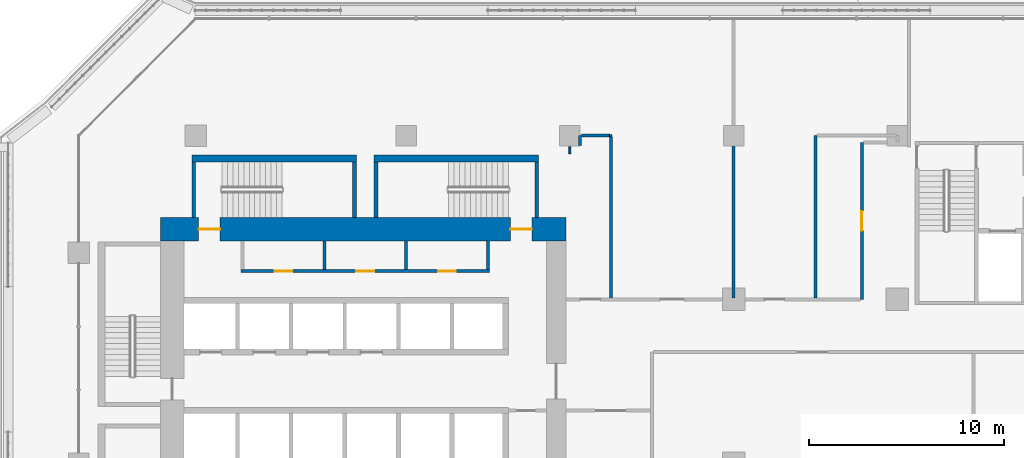
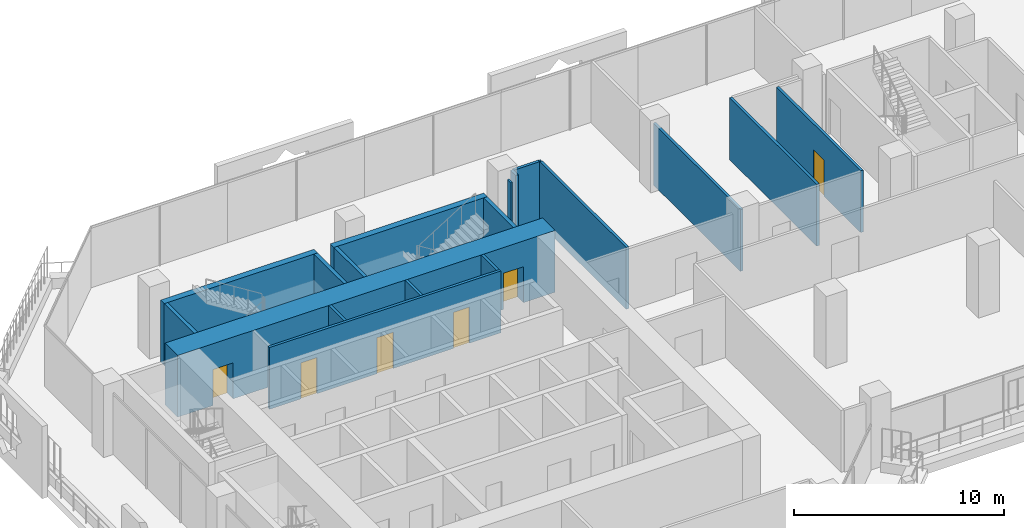
# One storey, part 16 of 27: 19 walls, 6 doors, 6 openings.
"""IFC4 building model written with IfcOpenShell, lengths in metres."""

from ifc_helpers import new_model, si_unit, direction, frame, frame_2d, origin, place, context, subcontext, project, spatial, rectangle, extrude, material, layer, layer_set, type_object, element, fill, save


model = new_model("IFC4")

# Units and contexts
model_context = context("Model", 3, precision=1e-05, world=origin(), true_north=direction((0.0, 1.0)))
body_context = subcontext(model_context, "Body", "Model", "MODEL_VIEW")
ifc_project = project(units=[si_unit("LENGTHUNIT", "METRE"), si_unit("AREAUNIT", "SQUARE_METRE"), si_unit("VOLUMEUNIT", "CUBIC_METRE"), si_unit("PLANEANGLEUNIT", "RADIAN"), si_unit("MASSUNIT", "GRAM", prefix="KILO")], contexts=[model_context])

# Site, building, storey
site_placement = place(None, origin())
site = spatial("IfcSite", under=ifc_project, at=site_placement, CompositionType="ELEMENT")
building_placement = place(site_placement, origin())
building = spatial("IfcBuilding", under=site, at=building_placement, Name="Kawkab Arch Medical Tower", CompositionType="ELEMENT")
storey_placement = place(building_placement, frame((0.0, 0.0, 103.0)))
storey = spatial("IfcBuildingStorey", under=building, at=storey_placement, Name="L23", CompositionType="ELEMENT", Elevation=103.0)

# Wall, openings, doors
ifc_material_1 = material(Name="Concrete C60/75", Category="concrete")
ifc_layer_1 = layer(ifc_material_1, 1.199951171875)
ifc_layer_set_1 = layer_set([ifc_layer_1], Name="Concrete C60/75")
wall_type_1 = type_object("IfcWallType", Name="Core ring wall 1200 C60/75", PredefinedType="SHEAR", material=ifc_layer_set_1)
wall_1_placement = place(storey_placement, frame((4.199951171875, -4.800048828125, 0.0), z_axis=(0.0, 0.0, 1.0), x_axis=(1.0, 0.0, 0.0)))
wall_1 = element("IfcWall", 1, at=wall_1_placement, inside=storey, type_object=wall_type_1, Name="L23 core wall", PredefinedType="SHEAR", context=body_context, shape_type="SweptSolid", body=[
    extrude(rectangle(XDim=20.800048828125, YDim=1.199951171875, at=frame_2d((10.39990234375, 0.0))), origin(), (0.0, 0.0, 1.0), 3.60009765625),
])
opening_1_placement = place(wall_1_placement, frame((1.949951171875, 0.0, 0.0)))
opening_1 = element("IfcOpeningElement", 2, at=opening_1_placement, cuts=wall_1, Name="Opening SD", PredefinedType="OPENING", context=body_context, shape_type="SweptSolid", body=[
    extrude(rectangle(XDim=1.10009765625, YDim=2.10009765625, at=frame_2d((0.550048828125, 1.050048828125))), frame((0.0, 0.60986328125, 0.0), z_axis=(0.0, -1.0, 0.0), x_axis=(1.0, 0.0, 0.0)), (0.0, 0.0, 1.0), 1.219970703125),
])
opening_2_placement = place(wall_1_placement, frame((17.949951171875, 0.0, 0.0)))
opening_2 = element("IfcOpeningElement", 3, at=opening_2_placement, cuts=wall_1, Name="Opening SD", PredefinedType="OPENING", context=body_context, shape_type="SweptSolid", body=[
    extrude(rectangle(XDim=1.10009765625, YDim=2.10009765625, at=frame_2d((0.550048828125, 1.050048828125))), frame((0.0, 0.60986328125, 0.0), z_axis=(0.0, -1.0, 0.0), x_axis=(1.0, 0.0, 0.0)), (0.0, 0.0, 1.0), 1.219970703125),
])
ifc_material_2 = material(Name="Hollow metal fire door leaf")
door_type_1 = type_object("IfcDoorType", Name="Exit stair door 1100", OperationType="SINGLE_SWING_LEFT", PredefinedType="DOOR", material=ifc_material_2)
door_1_placement = place(opening_1_placement, origin())
door_1 = element("IfcDoor", 4, at=door_1_placement, inside=storey, type_object=door_type_1, Name="L23 Exit stair ST3 door", OperationType="SINGLE_SWING_LEFT", OverallHeight=2.10009765625, OverallWidth=1.10009765625, PredefinedType="DOOR", context=body_context, shape_type="SweptSolid", body=[
    extrude(rectangle(XDim=1.10009765625, YDim=2.10009765625, at=frame_2d((0.550048828125, 1.050048828125))), frame((0.0, 0.02490234375, 0.0), z_axis=(0.0, -1.0, 0.0), x_axis=(1.0, 0.0, 0.0)), (0.0, 0.0, 1.0), 0.050048828125),
])
fill(opening_1, door_1)
door_2_placement = place(opening_2_placement, origin())
door_2 = element("IfcDoor", 5, at=door_2_placement, inside=storey, type_object=door_type_1, Name="L23 Exit stair ST4 door", OperationType="SINGLE_SWING_LEFT", OverallHeight=2.10009765625, OverallWidth=1.10009765625, PredefinedType="DOOR", context=body_context, shape_type="SweptSolid", body=[
    extrude(rectangle(XDim=1.10009765625, YDim=2.10009765625, at=frame_2d((0.550048828125, 1.050048828125))), frame((0.0, 0.02490234375, 0.0), z_axis=(0.0, -1.0, 0.0), x_axis=(1.0, 0.0, 0.0)), (0.0, 0.0, 1.0), 0.050048828125),
])
fill(opening_2, door_2)

ifc_material_3 = material(Name="Gypsum board on steel studs", Category="steel")
ifc_layer_2 = layer(ifc_material_3, 0.14990234375)
ifc_layer_set_2 = layer_set([ifc_layer_2], Name="Gypsum board on steel studs")
wall_type_2 = type_object("IfcWallType", Name="Core room partition 150", PredefinedType="PARTITIONING", material=ifc_layer_set_2)
wall_2_placement = place(storey_placement, frame((8.324951171875, -6.949951171875, 0.0), z_axis=(0.0, 0.0, 1.0), x_axis=(1.0, 0.0, 0.0)))
wall_2 = element("IfcWall", 6, at=wall_2_placement, inside=storey, type_object=wall_type_2, Name="L23 core room partition", PredefinedType="PARTITIONING", context=body_context, shape_type="SweptSolid", body=[
    extrude(rectangle(XDim=12.75, YDim=0.14990234375, at=frame_2d((6.375, 0.0))), origin(), (0.0, 0.0, 1.0), 3.60009765625),
])
opening_3_placement = place(wall_2_placement, frame((1.72509765625, 0.0, 0.0)))
opening_3 = element("IfcOpeningElement", 7, at=opening_3_placement, cuts=wall_2, Name="Opening RD", PredefinedType="OPENING", context=body_context, shape_type="SweptSolid", body=[
    extrude(rectangle(XDim=0.89990234375, YDim=2.10009765625, at=frame_2d((0.449951171875, 1.050048828125))), frame((0.0, 0.0849609375, 0.0), z_axis=(0.0, -1.0, 0.0), x_axis=(1.0, 0.0, 0.0)), (0.0, 0.0, 1.0), 0.169921875),
])
opening_4_placement = place(wall_2_placement, frame((5.925048828125, 0.0, 0.0)))
opening_4 = element("IfcOpeningElement", 8, at=opening_4_placement, cuts=wall_2, Name="Opening RD", PredefinedType="OPENING", context=body_context, shape_type="SweptSolid", body=[
    extrude(rectangle(XDim=0.89990234375, YDim=2.10009765625, at=frame_2d((0.449951171875, 1.050048828125))), frame((0.0, 0.0849609375, 0.0), z_axis=(0.0, -1.0, 0.0), x_axis=(1.0, 0.0, 0.0)), (0.0, 0.0, 1.0), 0.169921875),
])
opening_5_placement = place(wall_2_placement, frame((10.125, 0.0, 0.0)))
opening_5 = element("IfcOpeningElement", 9, at=opening_5_placement, cuts=wall_2, Name="Opening RD", PredefinedType="OPENING", context=body_context, shape_type="SweptSolid", body=[
    extrude(rectangle(XDim=0.89990234375, YDim=2.10009765625, at=frame_2d((0.449951171875, 1.050048828125))), frame((0.0, 0.0849609375, 0.0), z_axis=(0.0, -1.0, 0.0), x_axis=(1.0, 0.0, 0.0)), (0.0, 0.0, 1.0), 0.169921875),
])
ifc_material_4 = material(Name="Hollow metal fire door leaf")
door_type_2 = type_object("IfcDoorType", Name="Core room door 900", OperationType="SINGLE_SWING_LEFT", PredefinedType="DOOR", material=ifc_material_4)
door_3_placement = place(opening_3_placement, origin())
door_3 = element("IfcDoor", 10, at=door_3_placement, inside=storey, type_object=door_type_2, Name="L23 Electrical riser room door", OperationType="SINGLE_SWING_LEFT", OverallHeight=2.10009765625, OverallWidth=0.89990234375, PredefinedType="DOOR", context=body_context, shape_type="SweptSolid", body=[
    extrude(rectangle(XDim=0.89990234375, YDim=2.10009765625, at=frame_2d((0.449951171875, 1.050048828125))), frame((0.0, 0.02490234375, 0.0), z_axis=(0.0, -1.0, 0.0), x_axis=(1.0, 0.0, 0.0)), (0.0, 0.0, 1.0), 0.050048828125),
])
fill(opening_3, door_3)
door_4_placement = place(opening_4_placement, origin())
door_4 = element("IfcDoor", 11, at=door_4_placement, inside=storey, type_object=door_type_2, Name="L23 Equipment store door", OperationType="SINGLE_SWING_LEFT", OverallHeight=2.10009765625, OverallWidth=0.89990234375, PredefinedType="DOOR", context=body_context, shape_type="SweptSolid", body=[
    extrude(rectangle(XDim=0.89990234375, YDim=2.10009765625, at=frame_2d((0.449951171875, 1.050048828125))), frame((0.0, 0.02490234375, 0.0), z_axis=(0.0, -1.0, 0.0), x_axis=(1.0, 0.0, 0.0)), (0.0, 0.0, 1.0), 0.050048828125),
])
fill(opening_4, door_4)
door_5_placement = place(opening_5_placement, origin())
door_5 = element("IfcDoor", 12, at=door_5_placement, inside=storey, type_object=door_type_2, Name="L23 Sprinkler valve room door", OperationType="SINGLE_SWING_LEFT", OverallHeight=2.10009765625, OverallWidth=0.89990234375, PredefinedType="DOOR", context=body_context, shape_type="SweptSolid", body=[
    extrude(rectangle(XDim=0.89990234375, YDim=2.10009765625, at=frame_2d((0.449951171875, 1.050048828125))), frame((0.0, 0.02490234375, 0.0), z_axis=(0.0, -1.0, 0.0), x_axis=(1.0, 0.0, 0.0)), (0.0, 0.0, 1.0), 0.050048828125),
])
fill(opening_5, door_5)

# Walls
for number, where, z_axis, x_axis, name in (
    (13, (12.60009765625, -6.875, 0.0), (0.0, 0.0, 1.0), (0.0, 1.0, 0.0), "L23 core room partition"),
    (14, (16.800048828125, -6.875, 0.0), (0.0, 0.0, 1.0), (0.0, 1.0, 0.0), "L23 core room partition"),
    (15, (21.0, -6.875, 0.0), (0.0, 0.0, 1.0), (0.0, 1.0, 0.0), "L23 core room partition"),
):
    element("IfcWall", number, at=place(storey_placement, frame(where, z_axis=z_axis, x_axis=x_axis)), inside=storey, type_object=wall_type_2, Name=name, PredefinedType="PARTITIONING", context=body_context, shape_type="SweptSolid", body=[
        extrude(rectangle(XDim=1.47509765625, YDim=0.14990234375, at=frame_2d((0.737548828125, 0.0))), origin(), (0.0, 0.0, 1.0), 3.60009765625),
    ])
ifc_material_5 = material(Name="Gypsum board partition on steel studs", Category="steel")
ifc_layer_3 = layer(ifc_material_5, 0.10009765625)
ifc_layer_set_3 = layer_set([ifc_layer_3], Name="Gypsum board partition on steel studs")
wall_type_3 = type_object("IfcWallType", Name="Partition 100", PredefinedType="PARTITIONING", material=ifc_layer_set_3)
wall_3_placement = place(storey_placement, frame((27.219970703125, 0.0, 0.0), z_axis=(0.0, 0.0, 1.0), x_axis=(1.0, 0.0, 0.0)))
element("IfcWall", 16, at=wall_3_placement, inside=storey, type_object=wall_type_3, Name="Partition 100 w001", PredefinedType="PARTITIONING", context=body_context, shape_type="SweptSolid", body=[
    extrude(rectangle(XDim=0.1201171875, YDim=0.10009765625, at=frame_2d((0.06005859375, 0.0))), origin(), (0.0, 0.0, 1.0), 3.60009765625),
])
wall_4_placement = place(storey_placement, frame((25.199951171875, -0.919921875, 0.0), z_axis=(0.0, 0.0, 1.0), x_axis=(0.0, 1.0, 0.0)))
element("IfcWall", 17, at=wall_4_placement, inside=storey, type_object=wall_type_3, Name="Partition 100 w002", PredefinedType="PARTITIONING", context=body_context, shape_type="SweptSolid", body=[
    extrude(rectangle(XDim=0.33984375, YDim=0.10009765625, at=frame_2d((0.169921875, 0.0))), origin(), (0.0, 0.0, 1.0), 3.60009765625),
])
ifc_material_6 = material(Name="Gypsum board partition on steel studs, mineral wool", Category="steel")
ifc_layer_4 = layer(ifc_material_6, 0.14990234375)
ifc_layer_set_4 = layer_set([ifc_layer_4], Name="Gypsum board partition on steel studs, mineral wool")
wall_type_4 = type_object("IfcWallType", Name="Partition 150", PredefinedType="PARTITIONING", material=ifc_layer_set_4)
wall_5_placement = place(storey_placement, frame((25.802001953125, 0.0, 0.0), z_axis=(0.0, 0.0, 1.0), x_axis=(1.0, 0.0, 0.0)))
element("IfcWall", 18, at=wall_5_placement, inside=storey, type_object=wall_type_4, Name="Partition 150 w020", PredefinedType="PARTITIONING", context=body_context, shape_type="SweptSolid", body=[
    extrude(rectangle(XDim=1.4580078125, YDim=0.14990234375, at=frame_2d((0.72900390625, 0.0))), origin(), (0.0, 0.0, 1.0), 3.60009765625),
])
wall_6_placement = place(storey_placement, frame((25.72509765625, -0.5, 0.0), z_axis=(0.0, 0.0, 1.0), x_axis=(0.0, 1.0, 0.0)))
element("IfcWall", 19, at=wall_6_placement, inside=storey, type_object=wall_type_4, Name="Partition 150 w032", PredefinedType="PARTITIONING", context=body_context, shape_type="SweptSolid", body=[
    extrude(rectangle(XDim=0.498046875, YDim=0.14990234375, at=frame_2d((0.2490234375, 0.0))), origin(), (0.0, 0.0, 1.0), 3.60009765625),
])
wall_7_placement = place(storey_placement, frame((27.300048828125, -8.324951171875, 0.0), z_axis=(0.0, 0.0, 1.0), x_axis=(0.0, 1.0, 0.0)))
element("IfcWall", 20, at=wall_7_placement, inside=storey, type_object=wall_type_4, Name="Partition 150 w033", PredefinedType="PARTITIONING", context=body_context, shape_type="SweptSolid", body=[
    extrude(rectangle(XDim=8.25, YDim=0.14990234375, at=frame_2d((4.125, 0.0))), origin(), (0.0, 0.0, 1.0), 3.60009765625),
])
wall_8_placement = place(storey_placement, frame((33.60009765625, -8.324951171875, 0.0), z_axis=(0.0, 0.0, 1.0), x_axis=(0.0, 1.0, 0.0)))
element("IfcWall", 21, at=wall_8_placement, inside=storey, type_object=wall_type_4, Name="Partition 150 w035", PredefinedType="PARTITIONING", context=body_context, shape_type="SweptSolid", body=[
    extrude(rectangle(XDim=8.322021484375, YDim=0.14990234375, at=frame_2d((4.1611328125, 0.0))), origin(), (0.0, 0.0, 1.0), 3.60009765625),
])
wall_9_placement = place(storey_placement, frame((37.800048828125, -8.324951171875, 0.0), z_axis=(0.0, 0.0, 1.0), x_axis=(0.0, 1.0, 0.0)))
element("IfcWall", 22, at=wall_9_placement, inside=storey, type_object=wall_type_4, Name="Partition 150 w037", PredefinedType="PARTITIONING", context=body_context, shape_type="SweptSolid", body=[
    extrude(rectangle(XDim=8.322998046875, YDim=0.14990234375, at=frame_2d((4.16162109375, 0.0))), origin(), (0.0, 0.0, 1.0), 3.60009765625),
])

# Wall, opening, door
wall_10_placement = place(storey_placement, frame((40.181884765625, -8.39990234375, 0.0), z_axis=(0.0, 0.0, 1.0), x_axis=(0.0, 1.0, 0.0)))
wall_10 = element("IfcWall", 23, at=wall_10_placement, inside=storey, type_object=wall_type_4, Name="Partition 150 w038", PredefinedType="PARTITIONING", context=body_context, shape_type="SweptSolid", body=[
    extrude(rectangle(XDim=8.0498046875, YDim=0.14990234375, at=frame_2d((4.02490234375, 0.0))), origin(), (0.0, 0.0, 1.0), 3.60009765625),
])
opening_6_placement = place(wall_10_placement, frame((3.52490234375, 0.0, 0.0)))
opening_6 = element("IfcOpeningElement", 24, at=opening_6_placement, cuts=wall_10, Name="Opening B23-009", PredefinedType="OPENING", context=body_context, shape_type="SweptSolid", body=[
    extrude(rectangle(XDim=1.0, YDim=2.10009765625, at=frame_2d((0.5, 1.050048828125))), frame((0.0, 0.0849609375, 0.0), z_axis=(0.0, -1.0, 0.0), x_axis=(1.0, 0.0, 0.0)), (0.0, 0.0, 1.0), 0.169921875),
])
ifc_material_7 = material(Name="Hollow metal door leaf")
door_type_3 = type_object("IfcDoorType", Name="Single door 1000x2100 FD30S", OperationType="NOTDEFINED", PredefinedType="DOOR", material=ifc_material_7)
door_6_placement = place(opening_6_placement, origin())
door_6 = element("IfcDoor", 25, at=door_6_placement, inside=storey, type_object=door_type_3, Name="Door B23-009", OperationType="SINGLE_SWING_LEFT", OverallHeight=2.10009765625, OverallWidth=1.0, PredefinedType="DOOR", context=body_context, shape_type="SweptSolid", body=[
    extrude(rectangle(XDim=1.0, YDim=2.10009765625, at=frame_2d((0.5, 1.050048828125))), frame((0.0, 0.02490234375, 0.0), z_axis=(0.0, -1.0, 0.0), x_axis=(1.0, 0.0, 0.0)), (0.0, 0.0, 1.0), 0.050048828125),
])
fill(opening_6, door_6)

# Walls
ifc_material_8 = material(Name="Concrete C50/60", Category="concrete")
ifc_layer_5 = layer(ifc_material_8, 0.199951171875)
ifc_layer_set_5 = layer_set([ifc_layer_5], Name="Concrete C50/60")
wall_type_5 = type_object("IfcWallType", Name="Stair enclosure wall 200 C50/60", PredefinedType="SHEAR", material=ifc_layer_set_5)
for number, where, z_axis, x_axis, name in (
    (26, (5.89990234375, -4.199951171875, 0.0), (0.0, 0.0, 1.0), (0.0, 1.0, 0.0), "L23 stair enclosure wall"),
    (27, (14.14990234375, -4.199951171875, 0.0), (0.0, 0.0, 1.0), (0.0, 1.0, 0.0), "L23 stair enclosure wall"),
    (28, (15.25, -4.199951171875, 0.0), (0.0, 0.0, 1.0), (0.0, 1.0, 0.0), "L23 stair enclosure wall"),
    (29, (23.5, -4.199951171875, 0.0), (0.0, 0.0, 1.0), (0.0, 1.0, 0.0), "L23 stair enclosure wall"),
):
    element("IfcWall", number, at=place(storey_placement, frame(where, z_axis=z_axis, x_axis=x_axis)), inside=storey, type_object=wall_type_5, Name=name, PredefinedType="SHEAR", context=body_context, shape_type="SweptSolid", body=[
        extrude(rectangle(XDim=2.849853515625, YDim=0.199951171875, at=frame_2d((1.4248046875, 0.0))), origin(), (0.0, 0.0, 1.0), 3.60009765625),
    ])
ifc_material_9 = material(Name="Concrete C50/60", Category="concrete")
ifc_layer_6 = layer(ifc_material_9, 0.35009765625)
ifc_layer_set_6 = layer_set([ifc_layer_6], Name="Concrete C50/60")
wall_type_6 = type_object("IfcWallType", Name="Stair enclosure wall 350 C50/60", PredefinedType="SHEAR", material=ifc_layer_set_6)
wall_11_placement = place(storey_placement, frame((5.800048828125, -1.175048828125, 0.0), z_axis=(0.0, 0.0, 1.0), x_axis=(1.0, 0.0, 0.0)))
element("IfcWall", 30, at=wall_11_placement, inside=storey, type_object=wall_type_6, Name="L23 stair enclosure wall", PredefinedType="SHEAR", context=body_context, shape_type="SweptSolid", body=[
    extrude(rectangle(XDim=8.449951171875, YDim=0.35009765625, at=frame_2d((4.22509765625, 0.0))), origin(), (0.0, 0.0, 1.0), 3.60009765625),
])
wall_12_placement = place(storey_placement, frame((15.14990234375, -1.175048828125, 0.0), z_axis=(0.0, 0.0, 1.0), x_axis=(1.0, 0.0, 0.0)))
element("IfcWall", 31, at=wall_12_placement, inside=storey, type_object=wall_type_6, Name="L23 stair enclosure wall", PredefinedType="SHEAR", context=body_context, shape_type="SweptSolid", body=[
    extrude(rectangle(XDim=8.4501953125, YDim=0.35009765625, at=frame_2d((4.22509765625, 0.0))), origin(), (0.0, 0.0, 1.0), 3.60009765625),
])

save(model, "model.ifc")
